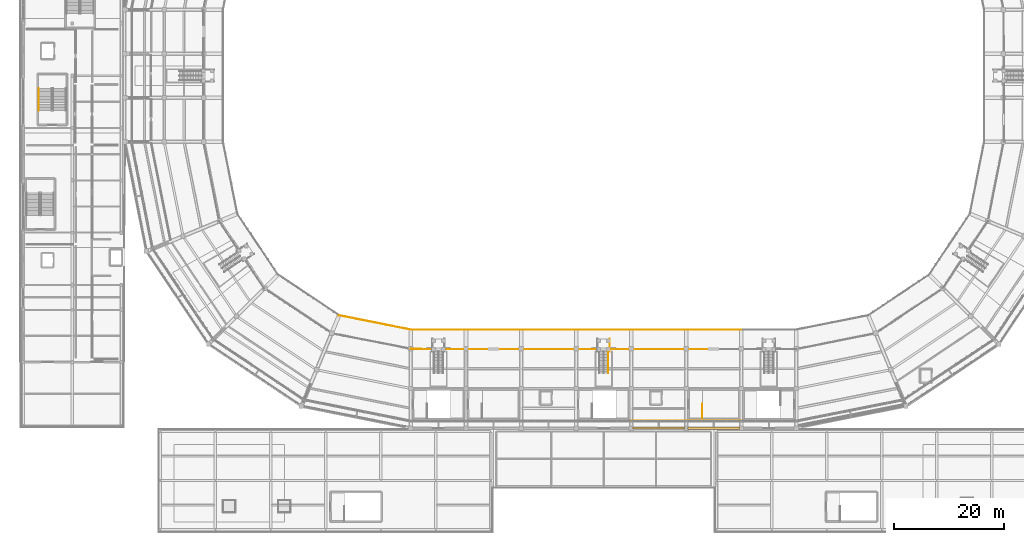
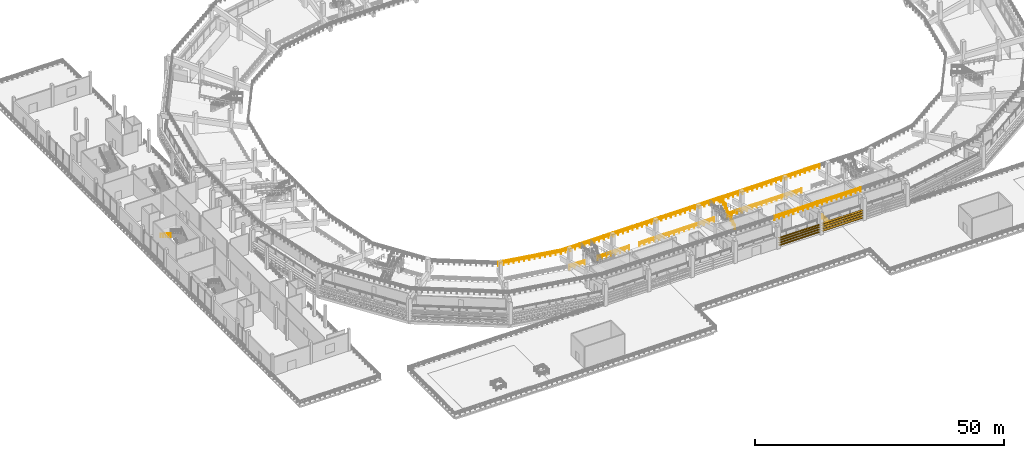
# One storey, part 80 of 96: 16 railings, 8 shading devices.
"""IFC4 building model written with IfcOpenShell, lengths in metres."""

from ifc_helpers import new_model, si_unit, direction, frame, origin, origin_2d, place, context, subcontext, project, spatial, rectangle, circle, extrude, material, layer, layer_set, type_object, element, save


model = new_model("IFC4")

# Units and contexts
model_context = context("Model", 3, precision=1e-05, world=origin(), true_north=direction((0.0, 1.0)))
body_context = subcontext(model_context, "Body", "Model", "MODEL_VIEW")
ifc_project = project(units=[si_unit("LENGTHUNIT", "METRE"), si_unit("AREAUNIT", "SQUARE_METRE"), si_unit("VOLUMEUNIT", "CUBIC_METRE"), si_unit("PLANEANGLEUNIT", "RADIAN"), si_unit("MASSUNIT", "GRAM", prefix="KILO")], contexts=[model_context])

# Site, building, storey
site_placement = place(None, origin())
site = spatial("IfcSite", under=ifc_project, at=site_placement, CompositionType="ELEMENT")
building_placement = place(site_placement, origin())
building = spatial("IfcBuilding", under=site, at=building_placement, Name="Candeia Ridge Stadium", CompositionType="ELEMENT")
storey_placement = place(building_placement, frame((0.0, 0.0, 21.60009765625)))
storey = spatial("IfcBuildingStorey", under=building, at=storey_placement, Name="L04", CompositionType="ELEMENT", Elevation=21.60009765625)

# Railings
ifc_material_1 = material(Name="Galvanized Powder-Coated Steel", Category="steel")
ifc_layer_1 = layer(ifc_material_1, 0.074951171875, Name="Galvanized Powder-Coated Steel", Category="steel")
ifc_layer_set_1 = layer_set([ifc_layer_1], Name="Galvanized Powder-Coated Steel")
railing_type_1 = type_object("IfcRailingType", Name="Spectator Bowl Front Guardrail 1120", PredefinedType="GUARDRAIL", material=ifc_layer_set_1)
railing_1_placement = place(storey_placement, frame((57.94287109375, 39.477294921875, 1.64990234375)))
element("IfcRailing", 1, at=railing_1_placement, inside=storey, type_object=railing_type_1, Name="Stand T3 front safety guardrail bay 18", PredefinedType="GUARDRAIL", context=body_context, shape_type="SweptSolid", body=[
    extrude(circle(Radius=0.02392578125, at=origin_2d()), frame((0.0, 0.0, 1.09619140625), z_axis=(0.980782582757, -0.195103883511, 0.0), x_axis=(0.195103883511, 0.980782582757, 0.0)), (0.0, 0.0, 1.0), 13.31298828125),
    extrude(circle(Radius=0.02392578125, at=origin_2d()), frame((0.0, 0.0, 0.56005859375), z_axis=(0.980782582757, -0.195103883511, 0.0), x_axis=(0.195103883511, 0.980782582757, 0.0)), (0.0, 0.0, 1.0), 13.31298828125),
    extrude(circle(Radius=0.02099609375, at=origin_2d()), origin(), (0.0, 0.0, 1.0), 1.072021484375),
    extrude(circle(Radius=0.02099609375, at=origin_2d()), frame((1.088134765625, -0.216552734375, 0.0)), (0.0, 0.0, 1.0), 1.072021484375),
    extrude(circle(Radius=0.02099609375, at=origin_2d()), frame((2.17626953125, -0.432861328125, 0.0)), (0.0, 0.0, 1.0), 1.072021484375),
    extrude(circle(Radius=0.02099609375, at=origin_2d()), frame((3.26416015625, -0.6494140625, 0.0)), (0.0, 0.0, 1.0), 1.072021484375),
    extrude(circle(Radius=0.02099609375, at=origin_2d()), frame((4.352294921875, -0.86572265625, 0.0)), (0.0, 0.0, 1.0), 1.072021484375),
    extrude(circle(Radius=0.02099609375, at=origin_2d()), frame((5.4404296875, -1.082275390625, 0.0)), (0.0, 0.0, 1.0), 1.072021484375),
    extrude(circle(Radius=0.02099609375, at=origin_2d()), frame((6.528564453125, -1.298828125, 0.0)), (0.0, 0.0, 1.0), 1.072021484375),
    extrude(circle(Radius=0.02099609375, at=origin_2d()), frame((7.61669921875, -1.51513671875, 0.0)), (0.0, 0.0, 1.0), 1.072021484375),
    extrude(circle(Radius=0.02099609375, at=origin_2d()), frame((8.704833984375, -1.731689453125, 0.0)), (0.0, 0.0, 1.0), 1.072021484375),
    extrude(circle(Radius=0.02099609375, at=origin_2d()), frame((9.79296875, -1.947998046875, 0.0)), (0.0, 0.0, 1.0), 1.072021484375),
    extrude(circle(Radius=0.02099609375, at=origin_2d()), frame((10.880859375, -2.16455078125, 0.0)), (0.0, 0.0, 1.0), 1.072021484375),
    extrude(circle(Radius=0.02099609375, at=origin_2d()), frame((11.968994140625, -2.380859375, 0.0)), (0.0, 0.0, 1.0), 1.072021484375),
    extrude(circle(Radius=0.02099609375, at=origin_2d()), frame((13.05712890625, -2.597412109375, 0.0)), (0.0, 0.0, 1.0), 1.072021484375),
])
for number, where, name in (
    (2, (71.0, 36.8798828125, 1.64990234375), "Stand T3 front safety guardrail bay 19"),
    (3, (81.0, 36.8798828125, 1.64990234375), "Stand T3 front safety guardrail bay 20"),
    (4, (91.0, 36.8798828125, 1.64990234375), "Stand T3 front safety guardrail bay 21"),
    (5, (101.0, 36.8798828125, 1.64990234375), "Stand T3 front safety guardrail bay 22"),
    (6, (111.0, 36.8798828125, 1.64990234375), "Stand T3 front safety guardrail bay 23"),
    (7, (111.0, 20.320068359375, 6.0), "Stand T3 rear safety guardrail bay 23"),
    (8, (121.0, 36.8798828125, 1.64990234375), "Stand T3 front safety guardrail bay 24"),
    (9, (121.0, 20.320068359375, 6.0), "Stand T3 rear safety guardrail bay 24"),
):
    element("IfcRailing", number, at=place(storey_placement, frame(where)), inside=storey, type_object=railing_type_1, Name=name, PredefinedType="GUARDRAIL", context=body_context, shape_type="SweptSolid", body=[
        extrude(circle(Radius=0.02392578125, at=origin_2d()), frame((0.0, 0.0, 1.09619140625), z_axis=(1.0, 0.0, 0.0), x_axis=(0.0, 1.0, 0.0)), (0.0, 0.0, 1.0), 10.0),
        extrude(circle(Radius=0.02392578125, at=origin_2d()), frame((0.0, 0.0, 0.56005859375), z_axis=(1.0, 0.0, 0.0), x_axis=(0.0, 1.0, 0.0)), (0.0, 0.0, 1.0), 10.0),
        extrude(circle(Radius=0.02099609375, at=origin_2d()), origin(), (0.0, 0.0, 1.0), 1.072021484375),
        extrude(circle(Radius=0.02099609375, at=origin_2d()), frame((1.111083984375, 0.0, 0.0)), (0.0, 0.0, 1.0), 1.072021484375),
        extrude(circle(Radius=0.02099609375, at=origin_2d()), frame((2.22216796875, 0.0, 0.0)), (0.0, 0.0, 1.0), 1.072021484375),
        extrude(circle(Radius=0.02099609375, at=origin_2d()), frame((3.333251953125, 0.0, 0.0)), (0.0, 0.0, 1.0), 1.072021484375),
        extrude(circle(Radius=0.02099609375, at=origin_2d()), frame((4.4443359375, 0.0, 0.0)), (0.0, 0.0, 1.0), 1.072021484375),
        extrude(circle(Radius=0.02099609375, at=origin_2d()), frame((5.5556640625, 0.0, 0.0)), (0.0, 0.0, 1.0), 1.072021484375),
        extrude(circle(Radius=0.02099609375, at=origin_2d()), frame((6.666748046875, 0.0, 0.0)), (0.0, 0.0, 1.0), 1.072021484375),
        extrude(circle(Radius=0.02099609375, at=origin_2d()), frame((7.77783203125, 0.0, 0.0)), (0.0, 0.0, 1.0), 1.072021484375),
        extrude(circle(Radius=0.02099609375, at=origin_2d()), frame((8.888916015625, 0.0, 0.0)), (0.0, 0.0, 1.0), 1.072021484375),
        extrude(circle(Radius=0.02099609375, at=origin_2d()), frame((10.0, 0.0, 0.0)), (0.0, 0.0, 1.0), 1.072021484375),
    ])
railing_2_placement = place(storey_placement, frame((71.0, 33.39990234375, 0.0)))
element("IfcRailing", 10, at=railing_2_placement, inside=storey, type_object=railing_type_1, Name="Deck edge safety guardrail GR-DE-L04-0210", PredefinedType="GUARDRAIL", context=body_context, shape_type="SweptSolid", body=[
    extrude(circle(Radius=0.02392578125, at=origin_2d()), frame((0.0, 0.0, 1.09619140625), z_axis=(0.999736960712, -0.022934894496, 0.0), x_axis=(0.022934894496, 0.999736960712, 0.0)), (0.0, 0.0, 1.0), 3.48095703125),
    extrude(circle(Radius=0.02392578125, at=origin_2d()), frame((0.0, 0.0, 0.56005859375), z_axis=(0.999736960712, -0.022934894496, 0.0), x_axis=(0.022934894496, 0.999736960712, 0.0)), (0.0, 0.0, 1.0), 3.48095703125),
    extrude(circle(Radius=0.02099609375, at=origin_2d()), origin(), (0.0, 0.0, 1.0), 1.072021484375),
    extrude(circle(Radius=0.02099609375, at=origin_2d()), frame((1.159912109375, -0.026611328125, 0.0)), (0.0, 0.0, 1.0), 1.072021484375),
    extrude(circle(Radius=0.02099609375, at=origin_2d()), frame((2.320068359375, -0.05322265625, 0.0)), (0.0, 0.0, 1.0), 1.072021484375),
    extrude(circle(Radius=0.02099609375, at=origin_2d()), frame((3.47998046875, -0.079833984375, 0.0)), (0.0, 0.0, 1.0), 1.072021484375),
])
railing_3_placement = place(storey_placement, frame((77.52001953125, 33.320068359375, 0.0)))
element("IfcRailing", 11, at=railing_3_placement, inside=storey, type_object=railing_type_1, Name="Deck edge safety guardrail GR-DE-L04-0211", PredefinedType="GUARDRAIL", context=body_context, shape_type="SweptSolid", body=[
    extrude(circle(Radius=0.02392578125, at=origin_2d()), frame((0.0, 0.0, 1.09619140625), z_axis=(1.0, 0.0, 0.0), x_axis=(0.0, 1.0, 0.0)), (0.0, 0.0, 1.0), 7.280029296875),
    extrude(circle(Radius=0.02392578125, at=origin_2d()), frame((0.0, 0.0, 0.56005859375), z_axis=(1.0, 0.0, 0.0), x_axis=(0.0, 1.0, 0.0)), (0.0, 0.0, 1.0), 7.280029296875),
    extrude(circle(Radius=0.02099609375, at=origin_2d()), origin(), (0.0, 0.0, 1.0), 1.072021484375),
    extrude(circle(Radius=0.02099609375, at=origin_2d()), frame((1.0400390625, 0.0, 0.0)), (0.0, 0.0, 1.0), 1.072021484375),
    extrude(circle(Radius=0.02099609375, at=origin_2d()), frame((2.080078125, 0.0, 0.0)), (0.0, 0.0, 1.0), 1.072021484375),
    extrude(circle(Radius=0.02099609375, at=origin_2d()), frame((3.1201171875, 0.0, 0.0)), (0.0, 0.0, 1.0), 1.072021484375),
    extrude(circle(Radius=0.02099609375, at=origin_2d()), frame((4.159912109375, 0.0, 0.0)), (0.0, 0.0, 1.0), 1.072021484375),
    extrude(circle(Radius=0.02099609375, at=origin_2d()), frame((5.199951171875, 0.0, 0.0)), (0.0, 0.0, 1.0), 1.072021484375),
    extrude(circle(Radius=0.02099609375, at=origin_2d()), frame((6.239990234375, 0.0, 0.0)), (0.0, 0.0, 1.0), 1.072021484375),
    extrude(circle(Radius=0.02099609375, at=origin_2d()), frame((7.280029296875, 0.0, 0.0)), (0.0, 0.0, 1.0), 1.072021484375),
])
railing_4_placement = place(storey_placement, frame((87.199951171875, 33.320068359375, 0.0)))
element("IfcRailing", 12, at=railing_4_placement, inside=storey, type_object=railing_type_1, Name="Deck edge safety guardrail GR-DE-L04-0212", PredefinedType="GUARDRAIL", context=body_context, shape_type="SweptSolid", body=[
    extrude(circle(Radius=0.02392578125, at=origin_2d()), frame((0.0, 0.0, 1.09619140625), z_axis=(1.0, 0.0, 0.0), x_axis=(0.0, 1.0, 0.0)), (0.0, 0.0, 1.0), 17.280029296875),
    extrude(circle(Radius=0.02392578125, at=origin_2d()), frame((0.0, 0.0, 0.56005859375), z_axis=(1.0, 0.0, 0.0), x_axis=(0.0, 1.0, 0.0)), (0.0, 0.0, 1.0), 17.280029296875),
    extrude(circle(Radius=0.02099609375, at=origin_2d()), origin(), (0.0, 0.0, 1.0), 1.072021484375),
    extrude(circle(Radius=0.02099609375, at=origin_2d()), frame((1.152099609375, 0.0, 0.0)), (0.0, 0.0, 1.0), 1.072021484375),
    extrude(circle(Radius=0.02099609375, at=origin_2d()), frame((2.303955078125, 0.0, 0.0)), (0.0, 0.0, 1.0), 1.072021484375),
    extrude(circle(Radius=0.02099609375, at=origin_2d()), frame((3.4560546875, 0.0, 0.0)), (0.0, 0.0, 1.0), 1.072021484375),
    extrude(circle(Radius=0.02099609375, at=origin_2d()), frame((4.60791015625, 0.0, 0.0)), (0.0, 0.0, 1.0), 1.072021484375),
    extrude(circle(Radius=0.02099609375, at=origin_2d()), frame((5.760009765625, 0.0, 0.0)), (0.0, 0.0, 1.0), 1.072021484375),
    extrude(circle(Radius=0.02099609375, at=origin_2d()), frame((6.912109375, 0.0, 0.0)), (0.0, 0.0, 1.0), 1.072021484375),
    extrude(circle(Radius=0.02099609375, at=origin_2d()), frame((8.06396484375, 0.0, 0.0)), (0.0, 0.0, 1.0), 1.072021484375),
    extrude(circle(Radius=0.02099609375, at=origin_2d()), frame((9.216064453125, 0.0, 0.0)), (0.0, 0.0, 1.0), 1.072021484375),
    extrude(circle(Radius=0.02099609375, at=origin_2d()), frame((10.367919921875, 0.0, 0.0)), (0.0, 0.0, 1.0), 1.072021484375),
    extrude(circle(Radius=0.02099609375, at=origin_2d()), frame((11.52001953125, 0.0, 0.0)), (0.0, 0.0, 1.0), 1.072021484375),
    extrude(circle(Radius=0.02099609375, at=origin_2d()), frame((12.672119140625, 0.0, 0.0)), (0.0, 0.0, 1.0), 1.072021484375),
    extrude(circle(Radius=0.02099609375, at=origin_2d()), frame((13.823974609375, 0.0, 0.0)), (0.0, 0.0, 1.0), 1.072021484375),
    extrude(circle(Radius=0.02099609375, at=origin_2d()), frame((14.97607421875, 0.0, 0.0)), (0.0, 0.0, 1.0), 1.072021484375),
    extrude(circle(Radius=0.02099609375, at=origin_2d()), frame((16.1279296875, 0.0, 0.0)), (0.0, 0.0, 1.0), 1.072021484375),
    extrude(circle(Radius=0.02099609375, at=origin_2d()), frame((17.280029296875, 0.0, 0.0)), (0.0, 0.0, 1.0), 1.072021484375),
])
railing_5_placement = place(storey_placement, frame((107.52001953125, 33.320068359375, 0.0)))
element("IfcRailing", 13, at=railing_5_placement, inside=storey, type_object=railing_type_1, Name="Deck edge safety guardrail GR-DE-L04-0213", PredefinedType="GUARDRAIL", context=body_context, shape_type="SweptSolid", body=[
    extrude(circle(Radius=0.02392578125, at=origin_2d()), frame((0.0, 0.0, 1.09619140625), z_axis=(1.0, 0.0, 0.0), x_axis=(0.0, 1.0, 0.0)), (0.0, 0.0, 1.0), 17.280029296875),
    extrude(circle(Radius=0.02392578125, at=origin_2d()), frame((0.0, 0.0, 0.56005859375), z_axis=(1.0, 0.0, 0.0), x_axis=(0.0, 1.0, 0.0)), (0.0, 0.0, 1.0), 17.280029296875),
    extrude(circle(Radius=0.02099609375, at=origin_2d()), origin(), (0.0, 0.0, 1.0), 1.072021484375),
    extrude(circle(Radius=0.02099609375, at=origin_2d()), frame((1.152099609375, 0.0, 0.0)), (0.0, 0.0, 1.0), 1.072021484375),
    extrude(circle(Radius=0.02099609375, at=origin_2d()), frame((2.303955078125, 0.0, 0.0)), (0.0, 0.0, 1.0), 1.072021484375),
    extrude(circle(Radius=0.02099609375, at=origin_2d()), frame((3.4560546875, 0.0, 0.0)), (0.0, 0.0, 1.0), 1.072021484375),
    extrude(circle(Radius=0.02099609375, at=origin_2d()), frame((4.60791015625, 0.0, 0.0)), (0.0, 0.0, 1.0), 1.072021484375),
    extrude(circle(Radius=0.02099609375, at=origin_2d()), frame((5.760009765625, 0.0, 0.0)), (0.0, 0.0, 1.0), 1.072021484375),
    extrude(circle(Radius=0.02099609375, at=origin_2d()), frame((6.912109375, 0.0, 0.0)), (0.0, 0.0, 1.0), 1.072021484375),
    extrude(circle(Radius=0.02099609375, at=origin_2d()), frame((8.06396484375, 0.0, 0.0)), (0.0, 0.0, 1.0), 1.072021484375),
    extrude(circle(Radius=0.02099609375, at=origin_2d()), frame((9.216064453125, 0.0, 0.0)), (0.0, 0.0, 1.0), 1.072021484375),
    extrude(circle(Radius=0.02099609375, at=origin_2d()), frame((10.367919921875, 0.0, 0.0)), (0.0, 0.0, 1.0), 1.072021484375),
    extrude(circle(Radius=0.02099609375, at=origin_2d()), frame((11.52001953125, 0.0, 0.0)), (0.0, 0.0, 1.0), 1.072021484375),
    extrude(circle(Radius=0.02099609375, at=origin_2d()), frame((12.672119140625, 0.0, 0.0)), (0.0, 0.0, 1.0), 1.072021484375),
    extrude(circle(Radius=0.02099609375, at=origin_2d()), frame((13.823974609375, 0.0, 0.0)), (0.0, 0.0, 1.0), 1.072021484375),
    extrude(circle(Radius=0.02099609375, at=origin_2d()), frame((14.97607421875, 0.0, 0.0)), (0.0, 0.0, 1.0), 1.072021484375),
    extrude(circle(Radius=0.02099609375, at=origin_2d()), frame((16.1279296875, 0.0, 0.0)), (0.0, 0.0, 1.0), 1.072021484375),
    extrude(circle(Radius=0.02099609375, at=origin_2d()), frame((17.280029296875, 0.0, 0.0)), (0.0, 0.0, 1.0), 1.072021484375),
])
ifc_material_2 = material(Name="Brushed Stainless Steel", Category="steel")
ifc_layer_2 = layer(ifc_material_2, 0.048095703125, Name="Brushed Stainless Steel", Category="steel")
ifc_layer_set_2 = layer_set([ifc_layer_2], Name="Brushed Stainless Steel")
railing_type_2 = type_object("IfcRailingType", Name="Stair Wall & Flight Handrail 900", PredefinedType="HANDRAIL", material=ifc_layer_set_2)
railing_6_placement = place(storey_placement, frame((3.39990234375, 80.7099609375, 2.8798828125)))
element("IfcRailing", 14, at=railing_6_placement, inside=storey, type_object=railing_type_2, Name="L04 ST07 stair handrail 2", PredefinedType="HANDRAIL", context=body_context, shape_type="SweptSolid", body=[
    extrude(circle(Radius=0.02392578125, at=origin_2d()), frame((0.0, 0.0, 0.8759765625), z_axis=(0.0, -0.849641744969, 0.527360318194), x_axis=(1.0, 0.0, 0.0)), (0.0, 0.0, 1.0), 4.778564453125),
    extrude(circle(Radius=0.02099609375, at=origin_2d()), origin(), (0.0, 0.0, 1.0), 0.851806640625),
    extrude(circle(Radius=0.02099609375, at=origin_2d()), frame((0.0, -1.01513671875, 0.6298828125)), (0.0, 0.0, 1.0), 0.851806640625),
    extrude(circle(Radius=0.02099609375, at=origin_2d()), frame((0.0, -2.030029296875, 1.260009765625)), (0.0, 0.0, 1.0), 0.851806640625),
    extrude(circle(Radius=0.02099609375, at=origin_2d()), frame((0.0, -3.044921875, 1.89013671875)), (0.0, 0.0, 1.0), 0.851806640625),
    extrude(circle(Radius=0.02099609375, at=origin_2d()), frame((0.0, -4.06005859375, 2.52001953125)), (0.0, 0.0, 1.0), 0.851806640625),
])
ifc_layer_3 = layer(ifc_material_1, 0.06005859375, Name="Galvanized Powder-Coated Steel", Category="steel")
ifc_layer_set_3 = layer_set([ifc_layer_3], Name="Galvanized Powder-Coated Steel")
railing_type_3 = type_object("IfcRailingType", Name="Stair Well Guardrail 1100", PredefinedType="GUARDRAIL", material=ifc_layer_set_3)
railing_7_placement = place(storey_placement, frame((123.89990234375, 20.800048828125, 0.0)))
element("IfcRailing", 15, at=railing_7_placement, inside=storey, type_object=railing_type_3, Name="L04 ST12 top well guard 1", PredefinedType="GUARDRAIL", context=body_context, shape_type="SweptSolid", body=[
    extrude(circle(Radius=0.02392578125, at=origin_2d()), frame((0.0, 0.0, 1.076171875), z_axis=(0.0, 1.0, 0.0), x_axis=(-1.0, 0.0, 0.0)), (0.0, 0.0, 1.0), 2.599853515625),
    extrude(circle(Radius=0.02392578125, at=origin_2d()), frame((0.0, 0.0, 0.550048828125), z_axis=(0.0, 1.0, 0.0), x_axis=(-1.0, 0.0, 0.0)), (0.0, 0.0, 1.0), 2.599853515625),
    extrude(circle(Radius=0.02099609375, at=origin_2d()), origin(), (0.0, 0.0, 1.0), 1.052001953125),
    extrude(circle(Radius=0.02099609375, at=origin_2d()), frame((0.0, 0.86669921875, 0.0)), (0.0, 0.0, 1.0), 1.052001953125),
    extrude(circle(Radius=0.02099609375, at=origin_2d()), frame((0.0, 1.733154296875, 0.0)), (0.0, 0.0, 1.0), 1.052001953125),
    extrude(circle(Radius=0.02099609375, at=origin_2d()), frame((0.0, 2.599853515625, 0.0)), (0.0, 0.0, 1.0), 1.052001953125),
])
ifc_layer_4 = layer(ifc_material_1, 0.070068359375, Name="Galvanized Powder-Coated Steel", Category="steel")
ifc_layer_set_4 = layer_set([ifc_layer_4], Name="Galvanized Powder-Coated Steel")
railing_type_4 = type_object("IfcRailingType", Name="Vomitory Portal Guardrail 1100", PredefinedType="GUARDRAIL", material=ifc_layer_set_4)
railing_8_placement = place(storey_placement, frame((106.820068359375, 28.97802734375, 0.0)))
element("IfcRailing", 16, at=railing_8_placement, inside=storey, type_object=railing_type_4, Name="Vomitory stair & landing side guardrail VS32-R", PredefinedType="GUARDRAIL", context=body_context, shape_type="SweptSolid", body=[
    extrude(circle(Radius=0.02392578125, at=origin_2d()), frame((0.0, 0.0, 1.076171875), z_axis=(0.0, 0.828790466984, 0.559559078058), x_axis=(-1.0, 0.0, 0.0)), (0.0, 0.0, 1.0), 4.814208984375),
    extrude(circle(Radius=0.02392578125, at=origin_2d()), frame((0.0, 0.0, 0.550048828125), z_axis=(0.0, 0.828790466984, 0.559559078058), x_axis=(-1.0, 0.0, 0.0)), (0.0, 0.0, 1.0), 4.814208984375),
    extrude(circle(Radius=0.02392578125, at=origin_2d()), frame((0.0, 3.989990234375, 3.77001953125), z_axis=(0.989932225045, -0.141542183877, 0.0), x_axis=(0.141542183877, 0.989932225045, 0.0)), (0.0, 0.0, 1.0), 0.282958984375),
    extrude(circle(Radius=0.02392578125, at=origin_2d()), frame((0.0, 3.989990234375, 3.243896484375), z_axis=(0.989932225045, -0.141542183877, 0.0), x_axis=(0.141542183877, 0.989932225045, 0.0)), (0.0, 0.0, 1.0), 0.282958984375),
    extrude(circle(Radius=0.02392578125, at=origin_2d()), frame((0.280029296875, 3.949951171875, 3.77001953125), z_axis=(0.0, 1.0, 0.0), x_axis=(-1.0, 0.0, 0.0)), (0.0, 0.0, 1.0), 2.320068359375),
    extrude(circle(Radius=0.02392578125, at=origin_2d()), frame((0.280029296875, 3.949951171875, 3.243896484375), z_axis=(0.0, 1.0, 0.0), x_axis=(-1.0, 0.0, 0.0)), (0.0, 0.0, 1.0), 2.320068359375),
    extrude(circle(Radius=0.02099609375, at=origin_2d()), origin(), (0.0, 0.0, 1.0), 1.052001953125),
    extrude(circle(Radius=0.02099609375, at=origin_2d()), frame((0.0, 0.798095703125, 0.538818359375)), (0.0, 0.0, 1.0), 1.052001953125),
    extrude(circle(Radius=0.02099609375, at=origin_2d()), frame((0.0, 1.595947265625, 1.07763671875)), (0.0, 0.0, 1.0), 1.052001953125),
    extrude(circle(Radius=0.02099609375, at=origin_2d()), frame((0.0, 2.39404296875, 1.6162109375)), (0.0, 0.0, 1.0), 1.052001953125),
    extrude(circle(Radius=0.02099609375, at=origin_2d()), frame((0.0, 3.19189453125, 2.155029296875)), (0.0, 0.0, 1.0), 1.052001953125),
    extrude(circle(Radius=0.02099609375, at=origin_2d()), frame((0.0, 3.989990234375, 2.69384765625)), (0.0, 0.0, 1.0), 1.052001953125),
    extrude(circle(Radius=0.02099609375, at=origin_2d()), frame((0.280029296875, 3.949951171875, 2.69384765625)), (0.0, 0.0, 1.0), 1.052001953125),
    extrude(circle(Radius=0.02099609375, at=origin_2d()), frame((0.280029296875, 5.10986328125, 2.69384765625)), (0.0, 0.0, 1.0), 1.052001953125),
    extrude(circle(Radius=0.02099609375, at=origin_2d()), frame((0.280029296875, 6.27001953125, 2.69384765625)), (0.0, 0.0, 1.0), 1.052001953125),
])

# Shading devices
ifc_material_3 = material(Name="Aluminium Anodized Warm Bronze", Category="aluminium")
shading_device_type_1 = type_object("IfcShadingDeviceType", Name="Weathered Bronze Horizontal Solar Rib 380x85", PredefinedType="JALOUSIE", material=ifc_material_3)
for number, where, z_axis, x_axis, name in (
    (17, (116.0, 19.0, 0.5673828125), (0.0, 0.0, 1.0), (1.0, 0.0, 0.0), "Weathered bronze horizontal solar rib L04 bay 23-1"),
    (18, (116.0, 19.0, 1.17724609375), (0.0, 0.0, 1.0), (1.0, 0.0, 0.0), "Weathered bronze horizontal solar rib L04 bay 23-2"),
    (19, (116.0, 19.0, 1.787109375), (0.0, 0.0, 1.0), (1.0, 0.0, 0.0), "Weathered bronze horizontal solar rib L04 bay 23-3"),
    (20, (116.0, 19.0, 2.341552734375), (0.0, 0.0, 1.0), (1.0, 0.0, 0.0), "Weathered bronze horizontal solar rib L04 bay 23-4"),
):
    element("IfcShadingDevice", number, at=place(storey_placement, frame(where, z_axis=z_axis, x_axis=x_axis)), inside=storey, type_object=shading_device_type_1, Name=name, PredefinedType="JALOUSIE", context=body_context, shape_type="SweptSolid", body=[
        extrude(rectangle(XDim=9.5, YDim=0.3798828125, at=origin_2d()), origin(), (0.0, 0.0, 1.0), 0.0849609375),
    ])
shading_device_type_2 = type_object("IfcShadingDeviceType", Name="Weathered Bronze Horizontal Solar Rib 500x105", PredefinedType="JALOUSIE", material=ifc_material_3)
for number, where, z_axis, x_axis, name in (
    (21, (126.0, 19.0, 0.557373046875), (0.0, 0.0, 1.0), (1.0, 0.0, 0.0), "Weathered bronze horizontal solar rib L04 bay 24-1"),
    (22, (126.0, 19.0, 1.167236328125), (0.0, 0.0, 1.0), (1.0, 0.0, 0.0), "Weathered bronze horizontal solar rib L04 bay 24-2"),
    (23, (126.0, 19.0, 1.777099609375), (0.0, 0.0, 1.0), (1.0, 0.0, 0.0), "Weathered bronze horizontal solar rib L04 bay 24-3"),
    (24, (126.0, 19.0, 2.33154296875), (0.0, 0.0, 1.0), (1.0, 0.0, 0.0), "Weathered bronze horizontal solar rib L04 bay 24-4"),
):
    element("IfcShadingDevice", number, at=place(storey_placement, frame(where, z_axis=z_axis, x_axis=x_axis)), inside=storey, type_object=shading_device_type_2, Name=name, PredefinedType="JALOUSIE", context=body_context, shape_type="SweptSolid", body=[
        extrude(rectangle(XDim=9.5, YDim=0.5, at=origin_2d()), origin(), (0.0, 0.0, 1.0), 0.10498046875),
    ])

save(model, "model.ifc")
